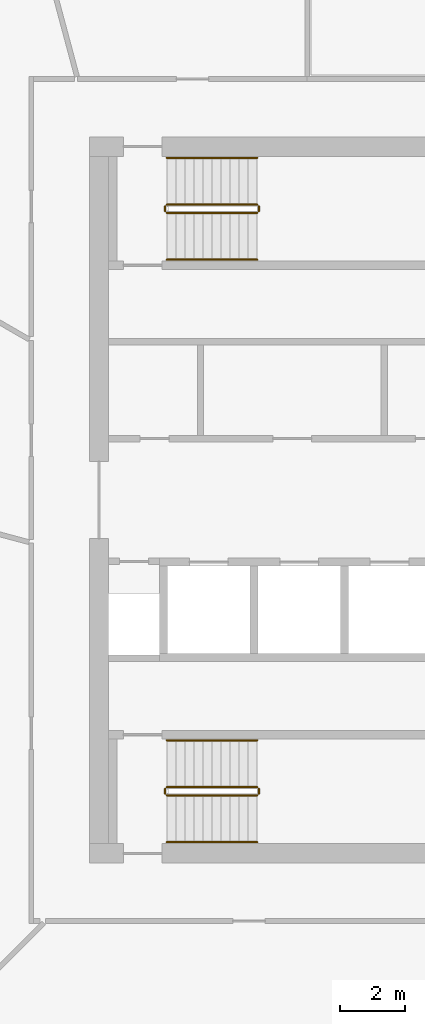
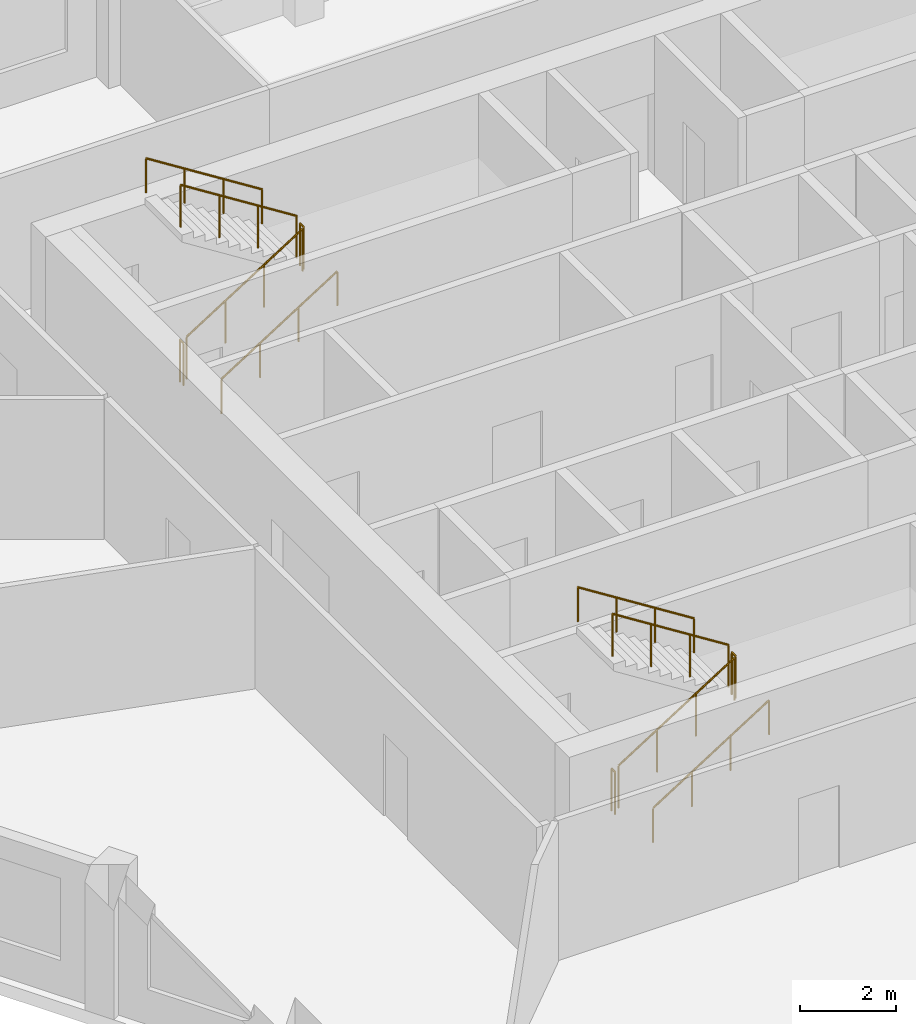
# One storey, part 8 of 10: 12 railings.
"""IFC4 building model written with IfcOpenShell, lengths in metres."""

from ifc_helpers import new_model, si_unit, direction, frame, origin, origin_2d, place, context, subcontext, project, spatial, circle, extrude, material, type_object, element, save


model = new_model("IFC4")

# Units and contexts
model_context = context("Model", 3, precision=1e-05, world=origin(), true_north=direction((0.0, 1.0)))
body_context = subcontext(model_context, "Body", "Model", "MODEL_VIEW")
ifc_project = project(units=[si_unit("LENGTHUNIT", "METRE"), si_unit("AREAUNIT", "SQUARE_METRE"), si_unit("VOLUMEUNIT", "CUBIC_METRE"), si_unit("PLANEANGLEUNIT", "RADIAN"), si_unit("MASSUNIT", "GRAM", prefix="KILO")], contexts=[model_context])

# Site, building, storey
site_placement = place(None, origin())
site = spatial("IfcSite", under=ifc_project, at=site_placement, CompositionType="ELEMENT")
building_placement = place(site_placement, origin())
building = spatial("IfcBuilding", under=site, at=building_placement, Name="Dhurran Vertical Campus", CompositionType="ELEMENT")
storey_placement = place(building_placement, frame((0.0, 0.0, 254.699951171875)))
storey = spatial("IfcBuildingStorey", under=building, at=storey_placement, Name="L63", CompositionType="ELEMENT", Elevation=254.699951171875)

# Railings
ifc_material_1 = material(Name="Stainless steel balustrade", Category="steel")
railing_type_1 = type_object("IfcRailingType", Name="co-RL-GUARD-1100", PredefinedType="GUARDRAIL", material=ifc_material_1)
railing_1_placement = place(storey_placement, frame((-11.10009765625, 8.89990234375, 0.17724609375)))
element("IfcRailing", 1, at=railing_1_placement, inside=storey, type_object=railing_type_1, Name="L63 ST1 stair guard 1", PredefinedType="GUARDRAIL", context=body_context, shape_type="SweptSolid", body=[
    extrude(circle(Radius=0.02392578125, at=origin_2d()), frame((0.0, 0.0, 1.076171875), z_axis=(0.844908973607, 0.0, 0.534910110503), x_axis=(0.0, 1.0, 0.0)), (0.0, 0.0, 1.0), 3.31396484375),
    extrude(circle(Radius=0.02099609375, at=origin_2d()), origin(), (0.0, 0.0, 1.0), 1.052001953125),
    extrude(circle(Radius=0.02099609375, at=origin_2d()), frame((0.933349609375, 0.0, 0.5908203125)), (0.0, 0.0, 1.0), 1.052001953125),
    extrude(circle(Radius=0.02099609375, at=origin_2d()), frame((1.86669921875, 0.0, 1.181884765625)), (0.0, 0.0, 1.0), 1.052001953125),
    extrude(circle(Radius=0.02099609375, at=origin_2d()), frame((2.800048828125, 0.0, 1.772705078125)), (0.0, 0.0, 1.0), 1.052001953125),
])
railing_2_placement = place(storey_placement, frame((-8.25, 8.949951171875, 1.949951171875)))
element("IfcRailing", 2, at=railing_2_placement, inside=storey, type_object=railing_type_1, Name="L63 ST1 stair guard 2", PredefinedType="GUARDRAIL", context=body_context, shape_type="SweptSolid", body=[
    extrude(circle(Radius=0.02392578125, at=origin_2d()), frame((0.0, 0.0, 1.076171875), z_axis=(0.0, 1.0, 0.0), x_axis=(-1.0, 0.0, 0.0)), (0.0, 0.0, 1.0), 0.150146484375),
    extrude(circle(Radius=0.02099609375, at=origin_2d()), origin(), (0.0, 0.0, 1.0), 1.052001953125),
    extrude(circle(Radius=0.02099609375, at=origin_2d()), frame((0.0, 0.150146484375, 0.0)), (0.0, 0.0, 1.0), 1.052001953125),
])
railing_3_placement = place(storey_placement, frame((-8.300048828125, 9.14990234375, 2.12744140625)))
element("IfcRailing", 3, at=railing_3_placement, inside=storey, type_object=railing_type_1, Name="L63 ST1 stair guard 3", PredefinedType="GUARDRAIL", context=body_context, shape_type="SweptSolid", body=[
    extrude(circle(Radius=0.02392578125, at=origin_2d()), frame((0.0, 0.0, 1.076171875), z_axis=(-0.844908973607, 0.0, 0.534910110503), x_axis=(0.0, -1.0, 0.0)), (0.0, 0.0, 1.0), 3.31396484375),
    extrude(circle(Radius=0.02099609375, at=origin_2d()), origin(), (0.0, 0.0, 1.0), 1.052001953125),
    extrude(circle(Radius=0.02099609375, at=origin_2d()), frame((-0.933349609375, 0.0, 0.5908203125)), (0.0, 0.0, 1.0), 1.052001953125),
    extrude(circle(Radius=0.02099609375, at=origin_2d()), frame((-1.86669921875, 0.0, 1.181884765625)), (0.0, 0.0, 1.0), 1.052001953125),
    extrude(circle(Radius=0.02099609375, at=origin_2d()), frame((-2.800048828125, 0.0, 1.772705078125)), (0.0, 0.0, 1.0), 1.052001953125),
])
railing_4_placement = place(storey_placement, frame((-11.14990234375, 8.949951171875, 0.0)))
element("IfcRailing", 4, at=railing_4_placement, inside=storey, type_object=railing_type_1, Name="L63 ST1 stair guard 4", PredefinedType="GUARDRAIL", context=body_context, shape_type="SweptSolid", body=[
    extrude(circle(Radius=0.02392578125, at=origin_2d()), frame((0.0, 0.0, 1.076171875), z_axis=(0.0, 1.0, 0.0), x_axis=(-1.0, 0.0, 0.0)), (0.0, 0.0, 1.0), 0.150146484375),
    extrude(circle(Radius=0.02099609375, at=origin_2d()), origin(), (0.0, 0.0, 1.0), 1.052001953125),
    extrude(circle(Radius=0.02099609375, at=origin_2d()), frame((0.0, 0.150146484375, 0.0)), (0.0, 0.0, 1.0), 1.052001953125),
])
railing_5_placement = place(storey_placement, frame((-11.10009765625, -9.14990234375, 0.17724609375)))
element("IfcRailing", 5, at=railing_5_placement, inside=storey, type_object=railing_type_1, Name="L63 ST3 stair guard 1", PredefinedType="GUARDRAIL", context=body_context, shape_type="SweptSolid", body=[
    extrude(circle(Radius=0.02392578125, at=origin_2d()), frame((0.0, 0.0, 1.076171875), z_axis=(0.844908973607, 0.0, 0.534910110503), x_axis=(0.0, 1.0, 0.0)), (0.0, 0.0, 1.0), 3.31396484375),
    extrude(circle(Radius=0.02099609375, at=origin_2d()), origin(), (0.0, 0.0, 1.0), 1.052001953125),
    extrude(circle(Radius=0.02099609375, at=origin_2d()), frame((0.933349609375, 0.0, 0.5908203125)), (0.0, 0.0, 1.0), 1.052001953125),
    extrude(circle(Radius=0.02099609375, at=origin_2d()), frame((1.86669921875, 0.0, 1.181884765625)), (0.0, 0.0, 1.0), 1.052001953125),
    extrude(circle(Radius=0.02099609375, at=origin_2d()), frame((2.800048828125, 0.0, 1.772705078125)), (0.0, 0.0, 1.0), 1.052001953125),
])
railing_6_placement = place(storey_placement, frame((-8.25, -9.10009765625, 1.949951171875)))
element("IfcRailing", 6, at=railing_6_placement, inside=storey, type_object=railing_type_1, Name="L63 ST3 stair guard 2", PredefinedType="GUARDRAIL", context=body_context, shape_type="SweptSolid", body=[
    extrude(circle(Radius=0.02392578125, at=origin_2d()), frame((0.0, 0.0, 1.076171875), z_axis=(0.0, 1.0, 0.0), x_axis=(-1.0, 0.0, 0.0)), (0.0, 0.0, 1.0), 0.150146484375),
    extrude(circle(Radius=0.02099609375, at=origin_2d()), origin(), (0.0, 0.0, 1.0), 1.052001953125),
    extrude(circle(Radius=0.02099609375, at=origin_2d()), frame((0.0, 0.150146484375, 0.0)), (0.0, 0.0, 1.0), 1.052001953125),
])
railing_7_placement = place(storey_placement, frame((-8.300048828125, -8.89990234375, 2.12744140625)))
element("IfcRailing", 7, at=railing_7_placement, inside=storey, type_object=railing_type_1, Name="L63 ST3 stair guard 3", PredefinedType="GUARDRAIL", context=body_context, shape_type="SweptSolid", body=[
    extrude(circle(Radius=0.02392578125, at=origin_2d()), frame((0.0, 0.0, 1.076171875), z_axis=(-0.844908973607, 0.0, 0.534910110503), x_axis=(0.0, -1.0, 0.0)), (0.0, 0.0, 1.0), 3.31396484375),
    extrude(circle(Radius=0.02099609375, at=origin_2d()), origin(), (0.0, 0.0, 1.0), 1.052001953125),
    extrude(circle(Radius=0.02099609375, at=origin_2d()), frame((-0.933349609375, 0.0, 0.5908203125)), (0.0, 0.0, 1.0), 1.052001953125),
    extrude(circle(Radius=0.02099609375, at=origin_2d()), frame((-1.86669921875, 0.0, 1.181884765625)), (0.0, 0.0, 1.0), 1.052001953125),
    extrude(circle(Radius=0.02099609375, at=origin_2d()), frame((-2.800048828125, 0.0, 1.772705078125)), (0.0, 0.0, 1.0), 1.052001953125),
])
railing_8_placement = place(storey_placement, frame((-11.14990234375, -9.10009765625, 0.0)))
element("IfcRailing", 8, at=railing_8_placement, inside=storey, type_object=railing_type_1, Name="L63 ST3 stair guard 4", PredefinedType="GUARDRAIL", context=body_context, shape_type="SweptSolid", body=[
    extrude(circle(Radius=0.02392578125, at=origin_2d()), frame((0.0, 0.0, 1.076171875), z_axis=(0.0, 1.0, 0.0), x_axis=(-1.0, 0.0, 0.0)), (0.0, 0.0, 1.0), 0.150146484375),
    extrude(circle(Radius=0.02099609375, at=origin_2d()), origin(), (0.0, 0.0, 1.0), 1.052001953125),
    extrude(circle(Radius=0.02099609375, at=origin_2d()), frame((0.0, 0.150146484375, 0.0)), (0.0, 0.0, 1.0), 1.052001953125),
])
ifc_material_2 = material(Name="Stainless steel handrail", Category="steel")
railing_type_2 = type_object("IfcRailingType", Name="co-RL-HANDRAIL-900", PredefinedType="HANDRAIL", material=ifc_material_2)
railing_9_placement = place(storey_placement, frame((-11.10009765625, 7.449951171875, 0.17724609375)))
element("IfcRailing", 9, at=railing_9_placement, inside=storey, type_object=railing_type_2, Name="L63 ST1 stair handrail 1", PredefinedType="HANDRAIL", context=body_context, shape_type="SweptSolid", body=[
    extrude(circle(Radius=0.02392578125, at=origin_2d()), frame((0.0, 0.0, 0.8759765625), z_axis=(0.844908973607, 0.0, 0.534910110503), x_axis=(0.0, 1.0, 0.0)), (0.0, 0.0, 1.0), 3.31396484375),
    extrude(circle(Radius=0.02099609375, at=origin_2d()), origin(), (0.0, 0.0, 1.0), 0.851806640625),
    extrude(circle(Radius=0.02099609375, at=origin_2d()), frame((0.933349609375, 0.0, 0.5908203125)), (0.0, 0.0, 1.0), 0.851806640625),
    extrude(circle(Radius=0.02099609375, at=origin_2d()), frame((1.86669921875, 0.0, 1.181884765625)), (0.0, 0.0, 1.0), 0.851806640625),
    extrude(circle(Radius=0.02099609375, at=origin_2d()), frame((2.800048828125, 0.0, 1.772705078125)), (0.0, 0.0, 1.0), 0.851806640625),
])
railing_10_placement = place(storey_placement, frame((-8.300048828125, 10.60009765625, 2.12744140625)))
element("IfcRailing", 10, at=railing_10_placement, inside=storey, type_object=railing_type_2, Name="L63 ST1 stair handrail 2", PredefinedType="HANDRAIL", context=body_context, shape_type="SweptSolid", body=[
    extrude(circle(Radius=0.02392578125, at=origin_2d()), frame((0.0, 0.0, 0.8759765625), z_axis=(-0.844908973607, 0.0, 0.534910110503), x_axis=(0.0, -1.0, 0.0)), (0.0, 0.0, 1.0), 3.31396484375),
    extrude(circle(Radius=0.02099609375, at=origin_2d()), origin(), (0.0, 0.0, 1.0), 0.851806640625),
    extrude(circle(Radius=0.02099609375, at=origin_2d()), frame((-0.933349609375, 0.0, 0.5908203125)), (0.0, 0.0, 1.0), 0.851806640625),
    extrude(circle(Radius=0.02099609375, at=origin_2d()), frame((-1.86669921875, 0.0, 1.181884765625)), (0.0, 0.0, 1.0), 0.851806640625),
    extrude(circle(Radius=0.02099609375, at=origin_2d()), frame((-2.800048828125, 0.0, 1.772705078125)), (0.0, 0.0, 1.0), 0.851806640625),
])
railing_11_placement = place(storey_placement, frame((-11.10009765625, -10.60009765625, 0.17724609375)))
element("IfcRailing", 11, at=railing_11_placement, inside=storey, type_object=railing_type_2, Name="L63 ST3 stair handrail 1", PredefinedType="HANDRAIL", context=body_context, shape_type="SweptSolid", body=[
    extrude(circle(Radius=0.02392578125, at=origin_2d()), frame((0.0, 0.0, 0.8759765625), z_axis=(0.844908973607, 0.0, 0.534910110503), x_axis=(0.0, 1.0, 0.0)), (0.0, 0.0, 1.0), 3.31396484375),
    extrude(circle(Radius=0.02099609375, at=origin_2d()), origin(), (0.0, 0.0, 1.0), 0.851806640625),
    extrude(circle(Radius=0.02099609375, at=origin_2d()), frame((0.933349609375, 0.0, 0.5908203125)), (0.0, 0.0, 1.0), 0.851806640625),
    extrude(circle(Radius=0.02099609375, at=origin_2d()), frame((1.86669921875, 0.0, 1.181884765625)), (0.0, 0.0, 1.0), 0.851806640625),
    extrude(circle(Radius=0.02099609375, at=origin_2d()), frame((2.800048828125, 0.0, 1.772705078125)), (0.0, 0.0, 1.0), 0.851806640625),
])
railing_12_placement = place(storey_placement, frame((-8.300048828125, -7.449951171875, 2.12744140625)))
element("IfcRailing", 12, at=railing_12_placement, inside=storey, type_object=railing_type_2, Name="L63 ST3 stair handrail 2", PredefinedType="HANDRAIL", context=body_context, shape_type="SweptSolid", body=[
    extrude(circle(Radius=0.02392578125, at=origin_2d()), frame((0.0, 0.0, 0.8759765625), z_axis=(-0.844908973607, 0.0, 0.534910110503), x_axis=(0.0, -1.0, 0.0)), (0.0, 0.0, 1.0), 3.31396484375),
    extrude(circle(Radius=0.02099609375, at=origin_2d()), origin(), (0.0, 0.0, 1.0), 0.851806640625),
    extrude(circle(Radius=0.02099609375, at=origin_2d()), frame((-0.933349609375, 0.0, 0.5908203125)), (0.0, 0.0, 1.0), 0.851806640625),
    extrude(circle(Radius=0.02099609375, at=origin_2d()), frame((-1.86669921875, 0.0, 1.181884765625)), (0.0, 0.0, 1.0), 0.851806640625),
    extrude(circle(Radius=0.02099609375, at=origin_2d()), frame((-2.800048828125, 0.0, 1.772705078125)), (0.0, 0.0, 1.0), 0.851806640625),
])

save(model, "model.ifc")
